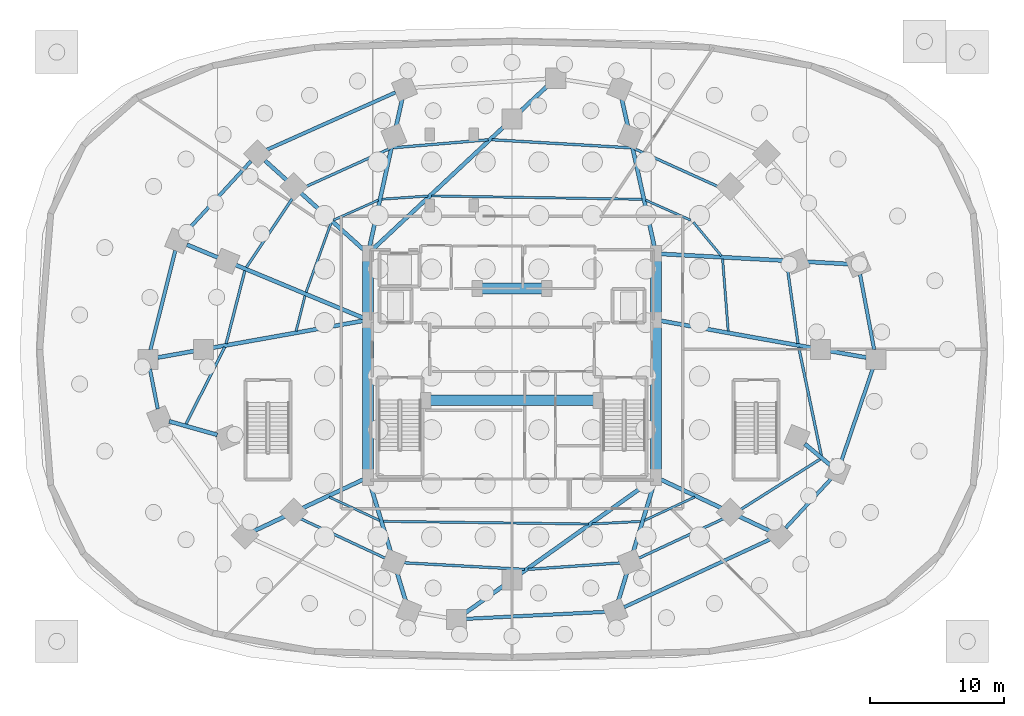
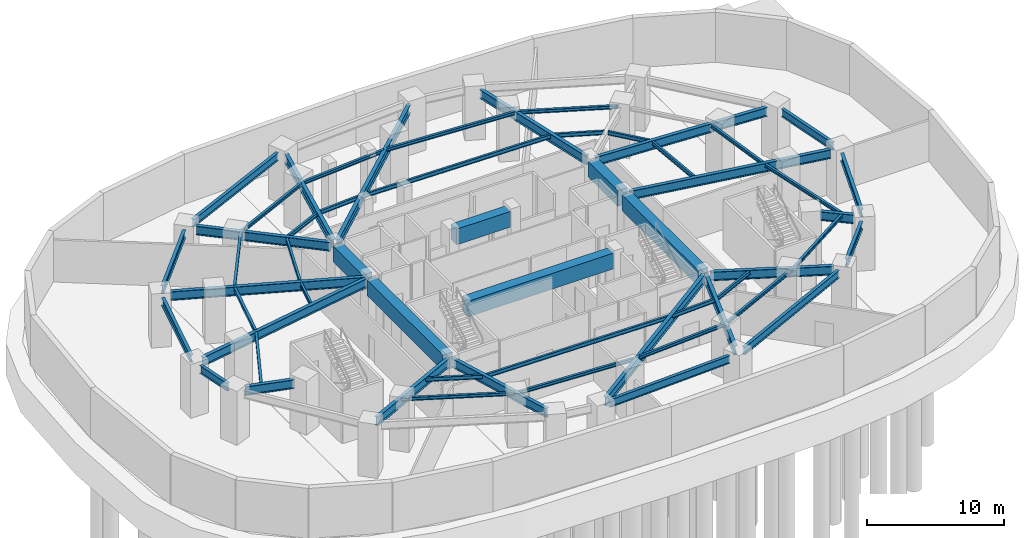
# One storey, part 2 of 9: 56 beams.
"""IFC4 building model written with IfcOpenShell, lengths in metres."""

from ifc_helpers import new_model, si_unit, direction, frame, origin, origin_2d, place, context, subcontext, project, spatial, rectangle, i_section, extrude, material, material_profile, profile_set, type_object, element, save


model = new_model("IFC4")

# Units and contexts
model_context = context("Model", 3, precision=1e-05, world=origin(), true_north=direction((0.0, 1.0)))
body_context = subcontext(model_context, "Body", "Model", "MODEL_VIEW")
ifc_project = project(units=[si_unit("LENGTHUNIT", "METRE"), si_unit("AREAUNIT", "SQUARE_METRE"), si_unit("VOLUMEUNIT", "CUBIC_METRE"), si_unit("PLANEANGLEUNIT", "RADIAN"), si_unit("MASSUNIT", "GRAM", prefix="KILO")], contexts=[model_context])

# Site, building, storey
site_placement = place(None, origin())
site = spatial("IfcSite", under=ifc_project, at=site_placement, CompositionType="ELEMENT")
building_placement = place(site_placement, origin())
building = spatial("IfcBuilding", under=site, at=building_placement, Name="Vorneva Point Tower", CompositionType="ELEMENT")
storey_placement = place(building_placement, frame((0.0, 0.0, -9.60009765625)))
storey = spatial("IfcBuildingStorey", under=building, at=storey_placement, Name="B02", CompositionType="ELEMENT", Elevation=-9.60009765625)

# Beams
ifc_material_1 = material(Name="Steel S355", Category="steel")
ifc_material_profile_1 = material_profile(ifc_material_1, i_section(OverallWidth=0.300048828125, OverallDepth=0.7880859375, WebThickness=0.014404296875, FlangeThickness=0.02197265625, at=origin_2d()), Name="80Sh1")
ifc_profile_set_1 = profile_set([ifc_material_profile_1], Name="Steel S355")
beam_type_1 = type_object("IfcBeamType", Name="BM-GRD-80Sh1", PredefinedType="USERDEFINED", material=ifc_profile_set_1)
beam_1_placement = place(storey_placement, frame((64.45556640625, 25.390869140625, 4.05615234375), z_axis=(-0.984377963628, 0.176068238829, 0.0), x_axis=(-0.176068238829, -0.984377963628, 0.0)))
element("IfcBeam", 1, at=beam_1_placement, inside=storey, type_object=beam_type_1, Name="B02 Radial Primary Girder 01", ObjectType="GIRDER", PredefinedType="USERDEFINED", context=body_context, shape_type="SweptSolid", body=[
    extrude(i_section(OverallWidth=0.300048828125, OverallDepth=0.7880859375, WebThickness=0.014404296875, FlangeThickness=0.02197265625, at=origin_2d()), origin(), (0.0, 0.0, 1.0), 15.61474609375),
])
beam_2_placement = place(storey_placement, frame((63.11767578125, 32.37646484375, 4.05615234375), z_axis=(-0.99855432341, 0.053751866937, 0.0), x_axis=(-0.053751866937, -0.99855432341, 0.0)))
element("IfcBeam", 2, at=beam_2_placement, inside=storey, type_object=beam_type_1, Name="B02 Radial Primary Girder 02", ObjectType="GIRDER", PredefinedType="USERDEFINED", context=body_context, shape_type="SweptSolid", body=[
    extrude(i_section(OverallWidth=0.300048828125, OverallDepth=0.7880859375, WebThickness=0.014404296875, FlangeThickness=0.02197265625, at=origin_2d()), origin(), (0.0, 0.0, 1.0), 14.04833984375),
])
beam_3_placement = place(storey_placement, frame((46.185302734375, 44.77099609375, 4.05615234375), z_axis=(0.215510345791, -0.976501557017, 0.0), x_axis=(0.976501557017, 0.215510345791, 0.0)))
element("IfcBeam", 3, at=beam_3_placement, inside=storey, type_object=beam_type_1, Name="B02 Radial Primary Girder 04", ObjectType="GIRDER", PredefinedType="USERDEFINED", context=body_context, shape_type="SweptSolid", body=[
    extrude(i_section(OverallWidth=0.300048828125, OverallDepth=0.7880859375, WebThickness=0.014404296875, FlangeThickness=0.02197265625, at=origin_2d()), origin(), (0.0, 0.0, 1.0), 11.560791015625),
])
beam_4_placement = place(storey_placement, frame((40.72607421875, 45.74853515625, 4.05615234375), z_axis=(-0.730489653378, -0.682923763174, 0.0), x_axis=(0.682923763174, -0.730489653378, 0.0)))
element("IfcBeam", 4, at=beam_4_placement, inside=storey, type_object=beam_type_1, Name="B02 Radial Primary Girder 05", ObjectType="GIRDER", PredefinedType="USERDEFINED", context=body_context, shape_type="SweptSolid", body=[
    extrude(i_section(OverallWidth=0.300048828125, OverallDepth=0.7880859375, WebThickness=0.014404296875, FlangeThickness=0.02197265625, at=origin_2d()), origin(), (0.0, 0.0, 1.0), 18.108154296875),
])
beam_5_placement = place(storey_placement, frame((29.814697265625, 44.77099609375, 4.05615234375), z_axis=(-0.215510345791, -0.976501557017, 0.0), x_axis=(0.976501557017, -0.215510345791, 0.0)))
element("IfcBeam", 5, at=beam_5_placement, inside=storey, type_object=beam_type_1, Name="B02 Radial Primary Girder 06", ObjectType="GIRDER", PredefinedType="USERDEFINED", context=body_context, shape_type="SweptSolid", body=[
    extrude(i_section(OverallWidth=0.300048828125, OverallDepth=0.7880859375, WebThickness=0.014404296875, FlangeThickness=0.02197265625, at=origin_2d()), origin(), (0.0, 0.0, 1.0), 11.560791015625),
])
beam_6_placement = place(storey_placement, frame((19.55029296875, 40.10498046875, 4.05615234375), z_axis=(0.742089370901, -0.67030095151, 0.0), x_axis=(0.67030095151, 0.742089370901, 0.0)))
element("IfcBeam", 6, at=beam_6_placement, inside=storey, type_object=beam_type_1, Name="B02 Radial Primary Girder 07", ObjectType="GIRDER", PredefinedType="USERDEFINED", context=body_context, shape_type="SweptSolid", body=[
    extrude(i_section(OverallWidth=0.300048828125, OverallDepth=0.7880859375, WebThickness=0.014404296875, FlangeThickness=0.02197265625, at=origin_2d()), origin(), (0.0, 0.0, 1.0), 10.035888671875),
])
beam_7_placement = place(storey_placement, frame((13.720703125, 33.822265625, 4.05615234375), z_axis=(0.923440919845, -0.383740625365, 0.0), x_axis=(0.383740625365, 0.923440919845, 0.0)))
element("IfcBeam", 7, at=beam_7_placement, inside=storey, type_object=beam_type_1, Name="B02 Radial Primary Girder 08", ObjectType="GIRDER", PredefinedType="USERDEFINED", context=body_context, shape_type="SweptSolid", body=[
    extrude(i_section(OverallWidth=0.300048828125, OverallDepth=0.7880859375, WebThickness=0.014404296875, FlangeThickness=0.02197265625, at=origin_2d()), origin(), (0.0, 0.0, 1.0), 14.31103515625),
])
beam_8_placement = place(storey_placement, frame((11.54443359375, 25.390869140625, 4.05615234375), z_axis=(0.984377963628, 0.176068238829, 0.0), x_axis=(-0.176068238829, 0.984377963628, 0.0)))
element("IfcBeam", 8, at=beam_8_placement, inside=storey, type_object=beam_type_1, Name="B02 Radial Primary Girder 09", ObjectType="GIRDER", PredefinedType="USERDEFINED", context=body_context, shape_type="SweptSolid", body=[
    extrude(i_section(OverallWidth=0.300048828125, OverallDepth=0.7880859375, WebThickness=0.014404296875, FlangeThickness=0.02197265625, at=origin_2d()), origin(), (0.0, 0.0, 1.0), 15.61474609375),
])
beam_9_placement = place(storey_placement, frame((12.3984375, 20.629638671875, 4.05615234375), z_axis=(0.962604080358, -0.27091213424, 0.0), x_axis=(0.27091213424, 0.962604080358, 0.0)))
element("IfcBeam", 9, at=beam_9_placement, inside=storey, type_object=beam_type_1, Name="B02 Radial Primary Girder 10", ObjectType="GIRDER", PredefinedType="USERDEFINED", context=body_context, shape_type="SweptSolid", body=[
    extrude(i_section(OverallWidth=0.300048828125, OverallDepth=0.7880859375, WebThickness=0.014404296875, FlangeThickness=0.02197265625, at=origin_2d()), origin(), (0.0, 0.0, 1.0), 3.7353515625),
])
beam_10_placement = place(storey_placement, frame((18.72900390625, 12.4384765625, 4.05615234375), z_axis=(0.90475164766, 0.425939498117, 0.0), x_axis=(-0.425939498117, 0.90475164766, 0.0)))
element("IfcBeam", 10, at=beam_10_placement, inside=storey, type_object=beam_type_1, Name="B02 Radial Primary Girder 11", ObjectType="GIRDER", PredefinedType="USERDEFINED", context=body_context, shape_type="SweptSolid", body=[
    extrude(i_section(OverallWidth=0.300048828125, OverallDepth=0.7880859375, WebThickness=0.014404296875, FlangeThickness=0.02197265625, at=origin_2d()), origin(), (0.0, 0.0, 1.0), 9.078125),
])
beam_11_placement = place(storey_placement, frame((30.08203125, 7.14111328125, 4.05615234375), z_axis=(-0.291040566437, 0.956710713167, 0.0), x_axis=(-0.956710713167, -0.291040566437, 0.0)))
element("IfcBeam", 11, at=beam_11_placement, inside=storey, type_object=beam_type_1, Name="B02 Radial Primary Girder 12", ObjectType="GIRDER", PredefinedType="USERDEFINED", context=body_context, shape_type="SweptSolid", body=[
    extrude(i_section(OverallWidth=0.300048828125, OverallDepth=0.7880859375, WebThickness=0.014404296875, FlangeThickness=0.02197265625, at=origin_2d()), origin(), (0.0, 0.0, 1.0), 9.39013671875),
])
beam_12_placement = place(storey_placement, frame((34.441650390625, 6.267822265625, 4.05615234375), z_axis=(0.814754265282, 0.579806422184, 0.0), x_axis=(-0.579806422184, 0.814754265282, 0.0)))
element("IfcBeam", 12, at=beam_12_placement, inside=storey, type_object=beam_type_1, Name="B02 Radial Primary Girder 13", ObjectType="GIRDER", PredefinedType="USERDEFINED", context=body_context, shape_type="SweptSolid", body=[
    extrude(i_section(OverallWidth=0.300048828125, OverallDepth=0.7880859375, WebThickness=0.014404296875, FlangeThickness=0.02197265625, at=origin_2d()), origin(), (0.0, 0.0, 1.0), 17.221435546875),
])
beam_13_placement = place(storey_placement, frame((45.91796875, 7.14111328125, 4.05615234375), z_axis=(0.291040566437, 0.956710713167, 0.0), x_axis=(-0.956710713167, 0.291040566437, 0.0)))
element("IfcBeam", 13, at=beam_13_placement, inside=storey, type_object=beam_type_1, Name="B02 Radial Primary Girder 14", ObjectType="GIRDER", PredefinedType="USERDEFINED", context=body_context, shape_type="SweptSolid", body=[
    extrude(i_section(OverallWidth=0.300048828125, OverallDepth=0.7880859375, WebThickness=0.014404296875, FlangeThickness=0.02197265625, at=origin_2d()), origin(), (0.0, 0.0, 1.0), 9.39013671875),
])
beam_14_placement = place(storey_placement, frame((57.27099609375, 12.4384765625, 4.05615234375), z_axis=(-0.90475164766, 0.425939498117, 0.0), x_axis=(-0.425939498117, -0.90475164766, 0.0)))
element("IfcBeam", 14, at=beam_14_placement, inside=storey, type_object=beam_type_1, Name="B02 Radial Primary Girder 15", ObjectType="GIRDER", PredefinedType="USERDEFINED", context=body_context, shape_type="SweptSolid", body=[
    extrude(i_section(OverallWidth=0.300048828125, OverallDepth=0.7880859375, WebThickness=0.014404296875, FlangeThickness=0.02197265625, at=origin_2d()), origin(), (0.0, 0.0, 1.0), 9.078125),
])
beam_15_placement = place(storey_placement, frame((61.767822265625, 17.35888671875, 4.05615234375), z_axis=(-0.768431084561, 0.63993254979, 0.0), x_axis=(-0.63993254979, -0.768431084561, 0.0)))
element("IfcBeam", 15, at=beam_15_placement, inside=storey, type_object=beam_type_1, Name="B02 Radial Primary Girder 16", ObjectType="GIRDER", PredefinedType="USERDEFINED", context=body_context, shape_type="SweptSolid", body=[
    extrude(i_section(OverallWidth=0.300048828125, OverallDepth=0.7880859375, WebThickness=0.014404296875, FlangeThickness=0.02197265625, at=origin_2d()), origin(), (0.0, 0.0, 1.0), 2.4794921875),
])
ifc_material_2 = material(Name="Concrete B60 (C50/60)", Category="concrete")
ifc_material_profile_2 = material_profile(ifc_material_2, rectangle(XDim=0.800048828125, YDim=1.39990234375, at=origin_2d()), Name="RC-BM 1400x800")
ifc_profile_set_2 = profile_set([ifc_material_profile_2], Name="Concrete B60 (C50/60)")
beam_type_2 = type_object("IfcBeamType", Name="BM-GRD-RC1400", PredefinedType="USERDEFINED", material=ifc_profile_set_2)
beam_16_placement = place(storey_placement, frame((27.25, 16.77001953125, 3.75), z_axis=(0.0, 1.0, 0.0), x_axis=(-1.0, 0.0, 0.0)))
element("IfcBeam", 16, at=beam_16_placement, inside=storey, type_object=beam_type_2, Name="B02 Core Tie Girder CT1", ObjectType="GIRDER", PredefinedType="USERDEFINED", context=body_context, shape_type="SweptSolid", body=[
    extrude(rectangle(XDim=0.800048828125, YDim=1.39990234375, at=origin_2d()), origin(), (0.0, 0.0, 1.0), 11.10986328125),
])
beam_17_placement = place(storey_placement, frame((27.25, 28.52001953125, 3.75), z_axis=(0.0, 1.0, 0.0), x_axis=(-1.0, 0.0, 0.0)))
element("IfcBeam", 17, at=beam_17_placement, inside=storey, type_object=beam_type_2, Name="B02 Core Tie Girder CT2", ObjectType="GIRDER", PredefinedType="USERDEFINED", context=body_context, shape_type="SweptSolid", body=[
    extrude(rectangle(XDim=0.800048828125, YDim=1.39990234375, at=origin_2d()), origin(), (0.0, 0.0, 1.0), 4.31005859375),
])
beam_18_placement = place(storey_placement, frame((48.75, 16.77001953125, 3.75), z_axis=(0.0, 1.0, 0.0), x_axis=(-1.0, 0.0, 0.0)))
element("IfcBeam", 18, at=beam_18_placement, inside=storey, type_object=beam_type_2, Name="B02 Core Tie Girder CT3", ObjectType="GIRDER", PredefinedType="USERDEFINED", context=body_context, shape_type="SweptSolid", body=[
    extrude(rectangle(XDim=0.800048828125, YDim=1.39990234375, at=origin_2d()), origin(), (0.0, 0.0, 1.0), 11.10986328125),
])
beam_19_placement = place(storey_placement, frame((48.75, 28.52001953125, 3.75), z_axis=(0.0, 1.0, 0.0), x_axis=(-1.0, 0.0, 0.0)))
element("IfcBeam", 19, at=beam_19_placement, inside=storey, type_object=beam_type_2, Name="B02 Core Tie Girder CT4", ObjectType="GIRDER", PredefinedType="USERDEFINED", context=body_context, shape_type="SweptSolid", body=[
    extrude(rectangle(XDim=0.800048828125, YDim=1.39990234375, at=origin_2d()), origin(), (0.0, 0.0, 1.0), 4.31005859375),
])
beam_20_placement = place(storey_placement, frame((35.719970703125, 30.550048828125, 3.75), z_axis=(1.0, 0.0, 0.0), x_axis=(0.0, 1.0, 0.0)))
element("IfcBeam", 20, at=beam_20_placement, inside=storey, type_object=beam_type_2, Name="B02 Core Tie Girder CT8", ObjectType="GIRDER", PredefinedType="USERDEFINED", context=body_context, shape_type="SweptSolid", body=[
    extrude(rectangle(XDim=0.800048828125, YDim=1.39990234375, at=origin_2d()), origin(), (0.0, 0.0, 1.0), 4.56005859375),
])
beam_21_placement = place(storey_placement, frame((31.8701171875, 22.199951171875, 3.75), z_axis=(1.0, 0.0, 0.0), x_axis=(0.0, 1.0, 0.0)))
element("IfcBeam", 21, at=beam_21_placement, inside=storey, type_object=beam_type_2, Name="B02 Core Tie Girder CT7", ObjectType="GIRDER", PredefinedType="USERDEFINED", context=body_context, shape_type="SweptSolid", body=[
    extrude(rectangle(XDim=0.800048828125, YDim=1.39990234375, at=origin_2d()), origin(), (0.0, 0.0, 1.0), 12.259765625),
])
ifc_material_profile_3 = material_profile(ifc_material_1, i_section(OverallWidth=0.199951171875, OverallDepth=0.291015625, WebThickness=0.008056640625, FlangeThickness=0.010986328125, at=origin_2d()), Name="30Sh1")
ifc_profile_set_3 = profile_set([ifc_material_profile_3], Name="Steel S355")
beam_type_3 = type_object("IfcBeamType", Name="BM-SEC-30Sh1", PredefinedType="BEAM", material=ifc_profile_set_3)
beam_22_placement = place(storey_placement, frame((59.364013671875, 26.434814453125, 4.3046875), z_axis=(-0.140029308351, 0.990147359135, 0.0), x_axis=(-0.990147359135, -0.140029308351, 0.0)))
element("IfcBeam", 22, at=beam_22_placement, inside=storey, type_object=beam_type_3, Name="B02 Secondary Floor Beam 1.01", PredefinedType="BEAM", context=body_context, shape_type="SweptSolid", body=[
    extrude(i_section(OverallWidth=0.199951171875, OverallDepth=0.291015625, WebThickness=0.008056640625, FlangeThickness=0.010986328125, at=origin_2d()), origin(), (0.0, 0.0, 1.0), 6.114501953125),
])
beam_23_placement = place(storey_placement, frame((53.8662109375, 37.94189453125, 4.3046875), z_axis=(-0.911060953396, 0.412271681293, 0.0), x_axis=(-0.412271681293, -0.911060953396, 0.0)))
element("IfcBeam", 23, at=beam_23_placement, inside=storey, type_object=beam_type_3, Name="B02 Secondary Floor Beam 1.03", PredefinedType="BEAM", context=body_context, shape_type="SweptSolid", body=[
    extrude(i_section(OverallWidth=0.199951171875, OverallDepth=0.291015625, WebThickness=0.008056640625, FlangeThickness=0.010986328125, at=origin_2d()), origin(), (0.0, 0.0, 1.0), 7.390380859375),
])
beam_24_placement = place(storey_placement, frame((46.86962890625, 41.0537109375, 4.3046875), z_axis=(-0.998297391737, 0.058329389258, 0.0), x_axis=(-0.058329389258, -0.998297391737, 0.0)))
element("IfcBeam", 24, at=beam_24_placement, inside=storey, type_object=beam_type_3, Name="B02 Secondary Floor Beam 1.04", PredefinedType="BEAM", context=body_context, shape_type="SweptSolid", body=[
    extrude(i_section(OverallWidth=0.199951171875, OverallDepth=0.291015625, WebThickness=0.008056640625, FlangeThickness=0.010986328125, at=origin_2d()), origin(), (0.0, 0.0, 1.0), 10.388427734375),
])
beam_25_placement = place(storey_placement, frame((36.223388671875, 41.656005859375, 4.3046875), z_axis=(-0.996454814483, -0.084129677839, 0.0), x_axis=(0.084129677839, -0.996454814483, 0.0)))
element("IfcBeam", 25, at=beam_25_placement, inside=storey, type_object=beam_type_3, Name="B02 Secondary Floor Beam 1.05", PredefinedType="BEAM", context=body_context, shape_type="SweptSolid", body=[
    extrude(i_section(OverallWidth=0.199951171875, OverallDepth=0.291015625, WebThickness=0.008056640625, FlangeThickness=0.010986328125, at=origin_2d()), origin(), (0.0, 0.0, 1.0), 7.118408203125),
])
beam_26_placement = place(storey_placement, frame((28.866943359375, 40.98876953125, 4.3046875), z_axis=(-0.911060953396, -0.412271681293, 0.0), x_axis=(0.412271681293, -0.911060953396, 0.0)))
element("IfcBeam", 26, at=beam_26_placement, inside=storey, type_object=beam_type_3, Name="B02 Secondary Floor Beam 1.06", PredefinedType="BEAM", context=body_context, shape_type="SweptSolid", body=[
    extrude(i_section(OverallWidth=0.199951171875, OverallDepth=0.291015625, WebThickness=0.008056640625, FlangeThickness=0.010986328125, at=origin_2d()), origin(), (0.0, 0.0, 1.0), 7.390380859375),
])
beam_27_placement = place(storey_placement, frame((21.931396484375, 37.7705078125, 4.3046875), z_axis=(-0.555629116204, -0.8314302648, 0.0), x_axis=(0.8314302648, -0.555629116204, 0.0)))
element("IfcBeam", 27, at=beam_27_placement, inside=storey, type_object=beam_type_3, Name="B02 Secondary Floor Beam 1.07", PredefinedType="BEAM", context=body_context, shape_type="SweptSolid", body=[
    extrude(i_section(OverallWidth=0.199951171875, OverallDepth=0.291015625, WebThickness=0.008056640625, FlangeThickness=0.010986328125, at=origin_2d()), origin(), (0.0, 0.0, 1.0), 6.79052734375),
])
beam_28_placement = place(storey_placement, frame((18.04736328125, 31.876220703125, 4.3046875), z_axis=(-0.2484077459, -0.968655558894, 0.0), x_axis=(0.968655558894, -0.2484077459, 0.0)))
element("IfcBeam", 28, at=beam_28_placement, inside=storey, type_object=beam_type_3, Name="B02 Secondary Floor Beam 1.08", PredefinedType="BEAM", context=body_context, shape_type="SweptSolid", body=[
    extrude(i_section(OverallWidth=0.199951171875, OverallDepth=0.291015625, WebThickness=0.008056640625, FlangeThickness=0.010986328125, at=origin_2d()), origin(), (0.0, 0.0, 1.0), 5.620849609375),
])
beam_29_placement = place(storey_placement, frame((16.5546875, 26.1748046875, 4.3046875), z_axis=(-0.450874688961, -0.892587258958, 0.0), x_axis=(0.892587258958, -0.450874688961, 0.0)))
element("IfcBeam", 29, at=beam_29_placement, inside=storey, type_object=beam_type_3, Name="B02 Secondary Floor Beam 1.09", PredefinedType="BEAM", context=body_context, shape_type="SweptSolid", body=[
    extrude(i_section(OverallWidth=0.199951171875, OverallDepth=0.291015625, WebThickness=0.008056640625, FlangeThickness=0.010986328125, at=origin_2d()), origin(), (0.0, 0.0, 1.0), 6.448486328125),
])
beam_30_placement = place(storey_placement, frame((21.564453125, 13.65625, 4.3046875), z_axis=(0.906344573317, -0.422539364342, 0.0), x_axis=(0.422539364342, 0.906344573317, 0.0)))
element("IfcBeam", 30, at=beam_30_placement, inside=storey, type_object=beam_type_3, Name="B02 Secondary Floor Beam 1.11", PredefinedType="BEAM", context=body_context, shape_type="SweptSolid", body=[
    extrude(i_section(OverallWidth=0.199951171875, OverallDepth=0.291015625, WebThickness=0.008056640625, FlangeThickness=0.010986328125, at=origin_2d()), origin(), (0.0, 0.0, 1.0), 8.2646484375),
])
beam_31_placement = place(storey_placement, frame((29.318115234375, 10.09814453125, 4.3046875), z_axis=(0.998496873544, -0.054808699332, 0.0), x_axis=(0.054808699332, 0.998496873544, 0.0)))
element("IfcBeam", 31, at=beam_31_placement, inside=storey, type_object=beam_type_3, Name="B02 Secondary Floor Beam 1.12", PredefinedType="BEAM", context=body_context, shape_type="SweptSolid", body=[
    extrude(i_section(OverallWidth=0.199951171875, OverallDepth=0.291015625, WebThickness=0.008056640625, FlangeThickness=0.010986328125, at=origin_2d()), origin(), (0.0, 0.0, 1.0), 9.63037109375),
])
beam_32_placement = place(storey_placement, frame((39.209716796875, 9.572509765625, 4.3046875), z_axis=(0.997553265271, 0.069910535303, 0.0), x_axis=(-0.069910535303, 0.997553265271, 0.0)))
element("IfcBeam", 32, at=beam_32_placement, inside=storey, type_object=beam_type_3, Name="B02 Secondary Floor Beam 1.13", PredefinedType="BEAM", context=body_context, shape_type="SweptSolid", body=[
    extrude(i_section(OverallWidth=0.199951171875, OverallDepth=0.291015625, WebThickness=0.008056640625, FlangeThickness=0.010986328125, at=origin_2d()), origin(), (0.0, 0.0, 1.0), 7.49072265625),
])
beam_33_placement = place(storey_placement, frame((46.94482421875, 10.1640625, 4.3046875), z_axis=(0.906344573317, 0.422539364342, 0.0), x_axis=(-0.422539364342, 0.906344573317, 0.0)))
element("IfcBeam", 33, at=beam_33_placement, inside=storey, type_object=beam_type_3, Name="B02 Secondary Floor Beam 1.14", PredefinedType="BEAM", context=body_context, shape_type="SweptSolid", body=[
    extrude(i_section(OverallWidth=0.199951171875, OverallDepth=0.291015625, WebThickness=0.008056640625, FlangeThickness=0.010986328125, at=origin_2d()), origin(), (0.0, 0.0, 1.0), 8.2646484375),
])
beam_34_placement = place(storey_placement, frame((54.67724609375, 13.788330078125, 4.3046875), z_axis=(0.844721117908, 0.535206719838, 0.0), x_axis=(-0.535206719838, 0.844721117908, 0.0)))
element("IfcBeam", 34, at=beam_34_placement, inside=storey, type_object=beam_type_3, Name="B02 Secondary Floor Beam 1.15", PredefinedType="BEAM", context=body_context, shape_type="SweptSolid", body=[
    extrude(i_section(OverallWidth=0.199951171875, OverallDepth=0.291015625, WebThickness=0.008056640625, FlangeThickness=0.010986328125, at=origin_2d()), origin(), (0.0, 0.0, 1.0), 7.51171875),
])
beam_35_placement = place(storey_placement, frame((61.11083984375, 18.017578125, 4.3046875), z_axis=(-0.204240133495, 0.978920817978, 0.0), x_axis=(-0.978920817978, -0.204240133495, 0.0)))
element("IfcBeam", 35, at=beam_35_placement, inside=storey, type_object=beam_type_3, Name="B02 Secondary Floor Beam 1.16", PredefinedType="BEAM", context=body_context, shape_type="SweptSolid", body=[
    extrude(i_section(OverallWidth=0.199951171875, OverallDepth=0.291015625, WebThickness=0.008056640625, FlangeThickness=0.010986328125, at=origin_2d()), origin(), (0.0, 0.0, 1.0), 8.32080078125),
])
ifc_material_profile_4 = material_profile(ifc_material_1, i_section(OverallWidth=0.174072265625, OverallDepth=0.345947265625, WebThickness=0.006103515625, FlangeThickness=0.009033203125, at=origin_2d()), Name="35B1")
ifc_profile_set_4 = profile_set([ifc_material_profile_4], Name="Steel S355")
beam_type_4 = type_object("IfcBeamType", Name="BM-SEC-35B1", PredefinedType="BEAM", material=ifc_profile_set_4)
beam_36_placement = place(storey_placement, frame((54.146484375, 27.370361328125, 4.277099609375), z_axis=(-0.07735451237, 0.997003650653, 0.0), x_axis=(-0.997003650653, -0.07735451237, 0.0)))
element("IfcBeam", 36, at=beam_36_placement, inside=storey, type_object=beam_type_4, Name="B02 Secondary Floor Beam 2.01", PredefinedType="BEAM", context=body_context, shape_type="SweptSolid", body=[
    extrude(i_section(OverallWidth=0.174072265625, OverallDepth=0.345947265625, WebThickness=0.006103515625, FlangeThickness=0.009033203125, at=origin_2d()), origin(), (0.0, 0.0, 1.0), 5.390625),
])
beam_37_placement = place(storey_placement, frame((53.630615234375, 32.988525390625, 4.277099609375), z_axis=(-0.639557326203, 0.768743407451, 0.0), x_axis=(-0.768743407451, -0.639557326203, 0.0)))
element("IfcBeam", 37, at=beam_37_placement, inside=storey, type_object=beam_type_4, Name="B02 Secondary Floor Beam 2.02", PredefinedType="BEAM", context=body_context, shape_type="SweptSolid", body=[
    extrude(i_section(OverallWidth=0.174072265625, OverallDepth=0.345947265625, WebThickness=0.006103515625, FlangeThickness=0.009033203125, at=origin_2d()), origin(), (0.0, 0.0, 1.0), 3.256103515625),
])
beam_38_placement = place(storey_placement, frame((51.333984375, 35.654052734375, 4.277099609375), z_axis=(-0.913141417525, 0.407642921685, 0.0), x_axis=(-0.407642921685, -0.913141417525, 0.0)))
element("IfcBeam", 38, at=beam_38_placement, inside=storey, type_object=beam_type_4, Name="B02 Secondary Floor Beam 2.03", PredefinedType="BEAM", context=body_context, shape_type="SweptSolid", body=[
    extrude(i_section(OverallWidth=0.174072265625, OverallDepth=0.345947265625, WebThickness=0.006103515625, FlangeThickness=0.009033203125, at=origin_2d()), origin(), (0.0, 0.0, 1.0), 3.672607421875),
])
beam_39_placement = place(storey_placement, frame((47.716552734375, 37.20947265625, 4.277099609375), z_axis=(-0.999872000716, 0.015999443222, 0.0), x_axis=(-0.015999443222, -0.999872000716, 0.0)))
element("IfcBeam", 39, at=beam_39_placement, inside=storey, type_object=beam_type_4, Name="B02 Secondary Floor Beam 2.04", PredefinedType="BEAM", context=body_context, shape_type="SweptSolid", body=[
    extrude(i_section(OverallWidth=0.174072265625, OverallDepth=0.345947265625, WebThickness=0.006103515625, FlangeThickness=0.009033203125, at=origin_2d()), origin(), (0.0, 0.0, 1.0), 15.717041015625),
])
beam_40_placement = place(storey_placement, frame((31.725830078125, 37.45361328125, 4.277099609375), z_axis=(-0.997642369869, -0.068627267483, 0.0), x_axis=(0.068627267483, -0.997642369869, 0.0)))
element("IfcBeam", 40, at=beam_40_placement, inside=storey, type_object=beam_type_4, Name="B02 Secondary Floor Beam 2.05", PredefinedType="BEAM", context=body_context, shape_type="SweptSolid", body=[
    extrude(i_section(OverallWidth=0.174072265625, OverallDepth=0.345947265625, WebThickness=0.006103515625, FlangeThickness=0.009033203125, at=origin_2d()), origin(), (0.0, 0.0, 1.0), 3.45068359375),
])
beam_41_placement = place(storey_placement, frame((28.01953125, 37.151123046875, 4.277099609375), z_axis=(-0.913141417525, -0.407642921685, 0.0), x_axis=(0.407642921685, -0.913141417525, 0.0)))
element("IfcBeam", 41, at=beam_41_placement, inside=storey, type_object=beam_type_4, Name="B02 Secondary Floor Beam 2.06", PredefinedType="BEAM", context=body_context, shape_type="SweptSolid", body=[
    extrude(i_section(OverallWidth=0.174072265625, OverallDepth=0.345947265625, WebThickness=0.006103515625, FlangeThickness=0.009033203125, at=origin_2d()), origin(), (0.0, 0.0, 1.0), 3.672607421875),
])
beam_42_placement = place(storey_placement, frame((24.493408203125, 35.468017578125, 4.277099609375), z_axis=(-0.33896211394, -0.940800024082, 0.0), x_axis=(0.940800024082, -0.33896211394, 0.0)))
element("IfcBeam", 42, at=beam_42_placement, inside=storey, type_object=beam_type_4, Name="B02 Secondary Floor Beam 2.07", PredefinedType="BEAM", context=body_context, shape_type="SweptSolid", body=[
    extrude(i_section(OverallWidth=0.174072265625, OverallDepth=0.345947265625, WebThickness=0.006103515625, FlangeThickness=0.009033203125, at=origin_2d()), origin(), (0.0, 0.0, 1.0), 5.522216796875),
])
beam_43_placement = place(storey_placement, frame((22.541259765625, 30.0087890625, 4.277099609375), z_axis=(-0.243927015128, -0.969793592106, 0.0), x_axis=(0.969793592106, -0.243927015128, 0.0)))
element("IfcBeam", 43, at=beam_43_placement, inside=storey, type_object=beam_type_4, Name="B02 Secondary Floor Beam 2.08", PredefinedType="BEAM", context=body_context, shape_type="SweptSolid", body=[
    extrude(i_section(OverallWidth=0.174072265625, OverallDepth=0.345947265625, WebThickness=0.006103515625, FlangeThickness=0.009033203125, at=origin_2d()), origin(), (0.0, 0.0, 1.0), 2.724365234375),
])
beam_44_placement = place(storey_placement, frame((24.357177734375, 14.970947265625, 4.277099609375), z_axis=(0.906733126225, -0.42170491793, 0.0), x_axis=(0.42170491793, 0.906733126225, 0.0)))
element("IfcBeam", 44, at=beam_44_placement, inside=storey, type_object=beam_type_4, Name="B02 Secondary Floor Beam 2.11", PredefinedType="BEAM", context=body_context, shape_type="SweptSolid", body=[
    extrude(i_section(OverallWidth=0.174072265625, OverallDepth=0.345947265625, WebThickness=0.006103515625, FlangeThickness=0.009033203125, at=origin_2d()), origin(), (0.0, 0.0, 1.0), 4.15625),
])
beam_45_placement = place(storey_placement, frame((28.388916015625, 13.158447265625, 4.277099609375), z_axis=(0.999915827183, -0.012974534668, 0.0), x_axis=(0.012974534668, 0.999915827183, 0.0)))
element("IfcBeam", 45, at=beam_45_placement, inside=storey, type_object=beam_type_4, Name="B02 Secondary Floor Beam 2.12", PredefinedType="BEAM", context=body_context, shape_type="SweptSolid", body=[
    extrude(i_section(OverallWidth=0.174072265625, OverallDepth=0.345947265625, WebThickness=0.006103515625, FlangeThickness=0.009033203125, at=origin_2d()), origin(), (0.0, 0.0, 1.0), 15.31689453125),
])
beam_46_placement = place(storey_placement, frame((43.98046875, 12.965087890625, 4.277099609375), z_axis=(0.998662355762, 0.051705891201, 0.0), x_axis=(-0.051705891201, 0.998662355762, 0.0)))
element("IfcBeam", 46, at=beam_46_placement, inside=storey, type_object=beam_type_4, Name="B02 Secondary Floor Beam 2.13", PredefinedType="BEAM", context=body_context, shape_type="SweptSolid", body=[
    extrude(i_section(OverallWidth=0.174072265625, OverallDepth=0.345947265625, WebThickness=0.006103515625, FlangeThickness=0.009033203125, at=origin_2d()), origin(), (0.0, 0.0, 1.0), 3.6357421875),
])
beam_47_placement = place(storey_placement, frame((47.874267578125, 13.21826171875, 4.277099609375), z_axis=(0.906733126225, 0.42170491793, 0.0), x_axis=(-0.42170491793, 0.906733126225, 0.0)))
element("IfcBeam", 47, at=beam_47_placement, inside=storey, type_object=beam_type_4, Name="B02 Secondary Floor Beam 2.14", PredefinedType="BEAM", context=body_context, shape_type="SweptSolid", body=[
    extrude(i_section(OverallWidth=0.174072265625, OverallDepth=0.345947265625, WebThickness=0.006103515625, FlangeThickness=0.009033203125, at=origin_2d()), origin(), (0.0, 0.0, 1.0), 4.15625),
])
ifc_material_profile_5 = material_profile(ifc_material_1, i_section(OverallWidth=0.260009765625, OverallDepth=0.69091796875, WebThickness=0.011962890625, FlangeThickness=0.015380859375, at=origin_2d()), Name="70B1")
ifc_profile_set_5 = profile_set([ifc_material_profile_5], Name="Steel S355")
beam_type_5 = type_object("IfcBeamType", Name="BM-SPN-70B1-SUB", PredefinedType="SPANDREL", material=ifc_profile_set_5)
beam_48_placement = place(storey_placement, frame((65.046630859375, 25.9833984375, 4.1044921875), z_axis=(-0.184432616026, 0.982845160819, 0.0), x_axis=(-0.982845160819, -0.184432616026, 0.0)))
element("IfcBeam", 48, at=beam_48_placement, inside=storey, type_object=beam_type_5, Name="B02 Perimeter Spandrel Ring Beam 01", PredefinedType="SPANDREL", context=body_context, shape_type="SweptSolid", body=[
    extrude(i_section(OverallWidth=0.260009765625, OverallDepth=0.69091796875, WebThickness=0.011962890625, FlangeThickness=0.015380859375, at=origin_2d()), origin(), (0.0, 0.0, 1.0), 5.729248046875),
])
beam_49_placement = place(storey_placement, frame((29.302490234375, 45.1923828125, 4.1044921875), z_axis=(-0.91332481678, -0.407231849263, 0.0), x_axis=(0.407231849263, -0.91332481678, 0.0)))
element("IfcBeam", 49, at=beam_49_placement, inside=storey, type_object=beam_type_5, Name="B02 Perimeter Spandrel Ring Beam 06", PredefinedType="SPANDREL", context=body_context, shape_type="SweptSolid", body=[
    extrude(i_section(OverallWidth=0.260009765625, OverallDepth=0.69091796875, WebThickness=0.011962890625, FlangeThickness=0.015380859375, at=origin_2d()), origin(), (0.0, 0.0, 1.0), 10.54248046875),
])
beam_50_placement = place(storey_placement, frame((18.505615234375, 40.058349609375, 4.1044921875), z_axis=(-0.676377408326, -0.736555226379, 0.0), x_axis=(0.736555226379, -0.676377408326, 0.0)))
element("IfcBeam", 50, at=beam_50_placement, inside=storey, type_object=beam_type_5, Name="B02 Perimeter Spandrel Ring Beam 07", PredefinedType="SPANDREL", context=body_context, shape_type="SweptSolid", body=[
    extrude(i_section(OverallWidth=0.260009765625, OverallDepth=0.69091796875, WebThickness=0.011962890625, FlangeThickness=0.015380859375, at=origin_2d()), origin(), (0.0, 0.0, 1.0), 7.34716796875),
])
beam_51_placement = place(storey_placement, frame((12.860107421875, 33.392578125, 4.1044921875), z_axis=(-0.243594390695, -0.969877194712, 0.0), x_axis=(0.969877194712, -0.243594390695, 0.0)))
element("IfcBeam", 51, at=beam_51_placement, inside=storey, type_object=beam_type_5, Name="B02 Perimeter Spandrel Ring Beam 08", PredefinedType="SPANDREL", context=body_context, shape_type="SweptSolid", body=[
    extrude(i_section(OverallWidth=0.260009765625, OverallDepth=0.69091796875, WebThickness=0.011962890625, FlangeThickness=0.015380859375, at=origin_2d()), origin(), (0.0, 0.0, 1.0), 7.649169921875),
])
beam_52_placement = place(storey_placement, frame((10.95947265625, 24.539794921875, 4.1044921875), z_axis=(0.192677778742, -0.981262082004, 0.0), x_axis=(0.981262082004, 0.192677778742, 0.0)))
element("IfcBeam", 52, at=beam_52_placement, inside=storey, type_object=beam_type_5, Name="B02 Perimeter Spandrel Ring Beam 09", PredefinedType="SPANDREL", context=body_context, shape_type="SweptSolid", body=[
    extrude(i_section(OverallWidth=0.260009765625, OverallDepth=0.69091796875, WebThickness=0.011962890625, FlangeThickness=0.015380859375, at=origin_2d()), origin(), (0.0, 0.0, 1.0), 3.046142578125),
])
beam_53_placement = place(storey_placement, frame((34.574462890625, 5.876708984375, 4.1044921875), z_axis=(0.9987427267, 0.050129490956, 0.0), x_axis=(-0.050129490956, 0.9987427267, 0.0)))
element("IfcBeam", 53, at=beam_53_placement, inside=storey, type_object=beam_type_5, Name="B02 Perimeter Spandrel Ring Beam 13", PredefinedType="SPANDREL", context=body_context, shape_type="SweptSolid", body=[
    extrude(i_section(OverallWidth=0.260009765625, OverallDepth=0.69091796875, WebThickness=0.011962890625, FlangeThickness=0.015380859375, at=origin_2d()), origin(), (0.0, 0.0, 1.0), 10.40771484375),
])
beam_54_placement = place(storey_placement, frame((46.36962890625, 6.7451171875, 4.1044921875), z_axis=(0.906780872519, 0.421602240547, 0.0), x_axis=(-0.421602240547, 0.906780872519, 0.0)))
element("IfcBeam", 54, at=beam_54_placement, inside=storey, type_object=beam_type_5, Name="B02 Perimeter Spandrel Ring Beam 14", PredefinedType="SPANDREL", context=body_context, shape_type="SweptSolid", body=[
    extrude(i_section(OverallWidth=0.260009765625, OverallDepth=0.69091796875, WebThickness=0.011962890625, FlangeThickness=0.015380859375, at=origin_2d()), origin(), (0.0, 0.0, 1.0), 12.0234375),
])
beam_55_placement = place(storey_placement, frame((58.437255859375, 12.664306640625, 4.1044921875), z_axis=(0.678284149777, 0.734799708874, 0.0), x_axis=(-0.734799708874, 0.678284149777, 0.0)))
element("IfcBeam", 55, at=beam_55_placement, inside=storey, type_object=beam_type_5, Name="B02 Perimeter Spandrel Ring Beam 15", PredefinedType="SPANDREL", context=body_context, shape_type="SweptSolid", body=[
    extrude(i_section(OverallWidth=0.260009765625, OverallDepth=0.69091796875, WebThickness=0.011962890625, FlangeThickness=0.015380859375, at=origin_2d()), origin(), (0.0, 0.0, 1.0), 5.010986328125),
])
beam_56_placement = place(storey_placement, frame((62.571533203125, 17.58251953125, 4.1044921875), z_axis=(0.321902733239, 0.94677274482, 0.0), x_axis=(-0.94677274482, 0.321902733239, 0.0)))
element("IfcBeam", 56, at=beam_56_placement, inside=storey, type_object=beam_type_5, Name="B02 Perimeter Spandrel Ring Beam 16", PredefinedType="SPANDREL", context=body_context, shape_type="SweptSolid", body=[
    extrude(i_section(OverallWidth=0.260009765625, OverallDepth=0.69091796875, WebThickness=0.011962890625, FlangeThickness=0.015380859375, at=origin_2d()), origin(), (0.0, 0.0, 1.0), 7.375),
])

save(model, "model.ifc")
